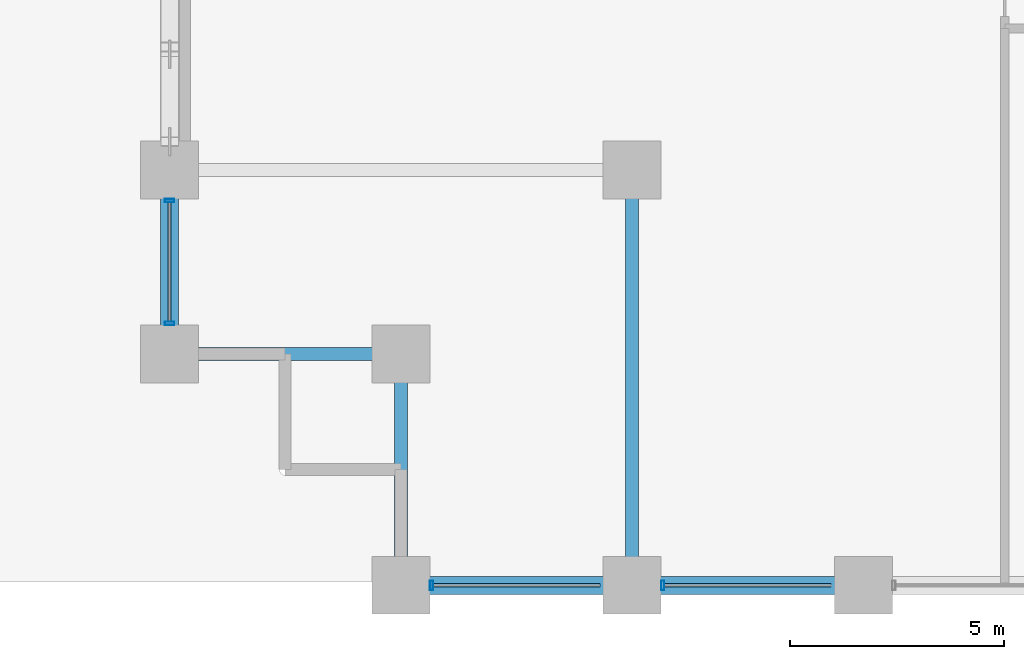
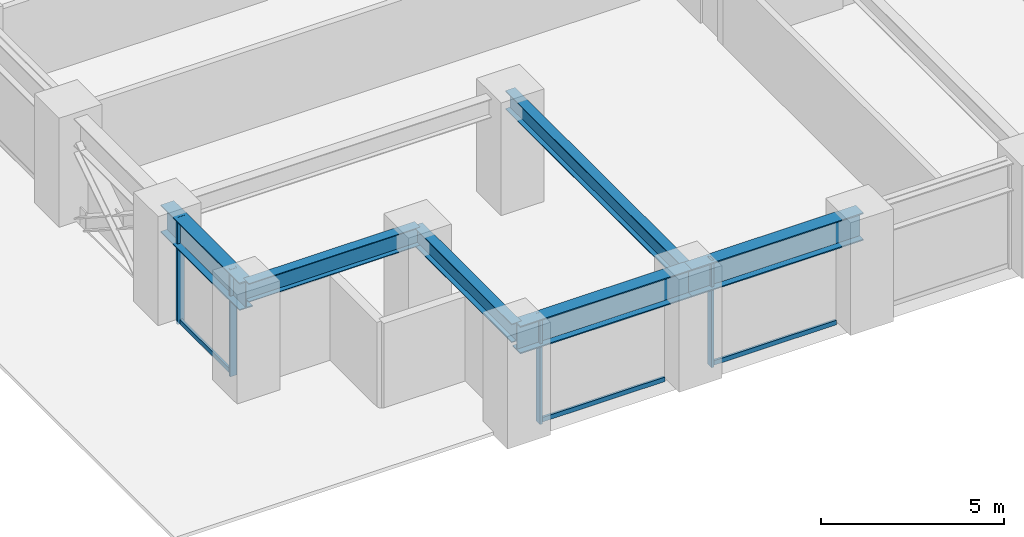
# One storey, part 2 of 27: 7 members, 6 beams, 2 elements without a shape of their own.
"""IFC4 building model written with IfcOpenShell, lengths in metres."""

from ifc_helpers import new_model, si_unit, direction, frame, origin, origin_2d, place, context, subcontext, project, spatial, hollow_rectangle, i_section, extrude, material, layer, layer_set, material_profile, profile_set, type_object, element, aggregate, save


model = new_model("IFC4")

# Units and contexts
model_context = context("Model", 3, precision=1e-05, world=origin(), true_north=direction((0.0, 1.0)))
body_context = subcontext(model_context, "Body", "Model", "MODEL_VIEW")
ifc_project = project(units=[si_unit("LENGTHUNIT", "METRE"), si_unit("AREAUNIT", "SQUARE_METRE"), si_unit("VOLUMEUNIT", "CUBIC_METRE"), si_unit("PLANEANGLEUNIT", "RADIAN"), si_unit("MASSUNIT", "GRAM", prefix="KILO")], contexts=[model_context])

# Site, building, storey
site_placement = place(None, origin())
site = spatial("IfcSite", under=ifc_project, at=site_placement, CompositionType="ELEMENT")
building_placement = place(site_placement, origin())
building = spatial("IfcBuilding", under=site, at=building_placement, Name="Surkhivell Harbour Commons", CompositionType="ELEMENT")
storey_placement = place(building_placement, frame((0.0, 0.0, 22.5)))
storey = spatial("IfcBuildingStorey", under=building, at=storey_placement, Name="L05", CompositionType="ELEMENT", Elevation=22.5)

# Beams
ifc_material_1 = material(Name="Steel S355", Category="steel")
ifc_material_profile_1 = material_profile(ifc_material_1, i_section(OverallWidth=0.306884765625, OverallDepth=0.6201171875, WebThickness=0.01416015625, FlangeThickness=0.023681640625, at=origin_2d()), Name="UB610x305x179")
ifc_profile_set_1 = profile_set([ifc_material_profile_1], Name="Steel S355")
beam_type_1 = type_object("IfcBeamType", Name="BM-GRD-610A", PredefinedType="BEAM", material=ifc_profile_set_1)
for number, where, z_axis, x_axis, name in (
    (1, (-32.39990234375, -20.5, 3.260009765625), (1.0, 0.0, 0.0), (0.0, 1.0, 0.0), "L05 Floor Girder (-32.4,-20.5)"),
    (2, (-27.0, -25.89990234375, 3.260009765625), (0.0, 1.0, 0.0), (-1.0, 0.0, 0.0), "L05 Floor Girder (-27.0,-25.9)"),
):
    element("IfcBeam", number, at=place(storey_placement, frame(where, z_axis=z_axis, x_axis=x_axis)), inside=storey, type_object=beam_type_1, Name=name, PredefinedType="BEAM", context=body_context, shape_type="SweptSolid", body=[
        extrude(i_section(OverallWidth=0.306884765625, OverallDepth=0.6201171875, WebThickness=0.01416015625, FlangeThickness=0.023681640625, at=origin_2d()), origin(), (0.0, 0.0, 1.0), 5.39990234375),
    ])
beam_1_placement = place(storey_placement, frame((-21.60009765625, -25.89990234375, 3.260009765625), z_axis=(0.0, 1.0, 0.0), x_axis=(-1.0, 0.0, 0.0)))
element("IfcBeam", 3, at=beam_1_placement, inside=storey, type_object=beam_type_1, Name="L05 Floor Girder (-21.6,-25.9)", PredefinedType="BEAM", context=body_context, shape_type="SweptSolid", body=[
    extrude(i_section(OverallWidth=0.306884765625, OverallDepth=0.6201171875, WebThickness=0.01416015625, FlangeThickness=0.023681640625, at=origin_2d()), origin(), (0.0, 0.0, 1.0), 9.699951171875),
])
ifc_material_2 = material(Name="Steel S460", Category="steel")
ifc_material_profile_2 = material_profile(ifc_material_2, i_section(OverallWidth=0.419921875, OverallDepth=0.9208984375, WebThickness=0.021484375, FlangeThickness=0.03662109375, at=origin_2d()), Name="UB914x419x388")
ifc_profile_set_2 = profile_set([ifc_material_profile_2], Name="Steel S460")
beam_type_2 = type_object("IfcBeamType", Name="BM-SPN-914A", PredefinedType="SPANDREL", material=ifc_profile_set_2)
beam_2_placement = place(storey_placement, frame((-32.39990234375, -20.5, 3.109619140625), z_axis=(0.0, 1.0, 0.0), x_axis=(-1.0, 0.0, 0.0)))
element("IfcBeam", 4, at=beam_2_placement, inside=storey, type_object=beam_type_2, Name="L05 Tube Spandrel (-32.4,-20.5)", PredefinedType="SPANDREL", context=body_context, shape_type="SweptSolid", body=[
    extrude(i_section(OverallWidth=0.419921875, OverallDepth=0.9208984375, WebThickness=0.021484375, FlangeThickness=0.03662109375, at=origin_2d()), origin(), (0.0, 0.0, 1.0), 4.300048828125),
])
beam_3_placement = place(storey_placement, frame((-27.0, -25.89990234375, 3.109619140625), z_axis=(1.0, 0.0, 0.0), x_axis=(0.0, 1.0, 0.0)))
element("IfcBeam", 5, at=beam_3_placement, inside=storey, type_object=beam_type_2, Name="L05 Tube Spandrel (-27.0,-25.9)", PredefinedType="SPANDREL", context=body_context, shape_type="SweptSolid", body=[
    extrude(i_section(OverallWidth=0.419921875, OverallDepth=0.9208984375, WebThickness=0.021484375, FlangeThickness=0.03662109375, at=origin_2d()), origin(), (0.0, 0.0, 1.0), 5.39990234375),
])
beam_4_placement = place(storey_placement, frame((-21.60009765625, -25.89990234375, 3.109619140625), z_axis=(1.0, 0.0, 0.0), x_axis=(0.0, 1.0, 0.0)))
element("IfcBeam", 6, at=beam_4_placement, inside=storey, type_object=beam_type_2, Name="L05 Tube Spandrel (-21.6,-25.9)", PredefinedType="SPANDREL", context=body_context, shape_type="SweptSolid", body=[
    extrude(i_section(OverallWidth=0.419921875, OverallDepth=0.9208984375, WebThickness=0.021484375, FlangeThickness=0.03662109375, at=origin_2d()), origin(), (0.0, 0.0, 1.0), 5.400146484375),
])

# Curtain wall, members
ifc_material_3 = material(Name="Anodised pale-metal aluminium and insulated glazing", Category="aluminium")
ifc_layer = layer(ifc_material_3, 0.219970703125)
ifc_layer_set = layer_set([ifc_layer], Name="Anodised pale-metal aluminium and insulated glazing")
curtain_wall_type = type_object("IfcCurtainWallType", Name="CW-SYS-Z1", PredefinedType="NOTDEFINED", material=ifc_layer_set)
curtain_wall_1_placement = place(storey_placement, origin())
curtain_wall_1 = element("IfcCurtainWall", 7, at=curtain_wall_1_placement, inside=storey, type_object=curtain_wall_type, Name="L05 Curtain Wall CW-L05-E00S1", PredefinedType="NOTDEFINED")
ifc_material_4 = material(Name="Anodised pale-metal aluminium alloy 6063-T6", Category="aluminium")
ifc_material_profile_3 = material_profile(ifc_material_4, hollow_rectangle(XDim=0.074951171875, YDim=0.219970703125, WallThickness=0.00390625, at=origin_2d()), Name="ALU-MULL-75x220")
ifc_profile_set_3 = profile_set([ifc_material_profile_3], Name="Anodised pale-metal aluminium alloy 6063-T6")
member_type_1 = type_object("IfcMemberType", Name="CWM-220", PredefinedType="MULLION", material=ifc_profile_set_3)
member_1_placement = place(storey_placement, frame((-26.285400390625, -25.89990234375, 0.0), z_axis=(0.0, 0.0, 1.0), x_axis=(1.0, 0.0, 0.0)))
member_1 = element("IfcMember", 8, at=member_1_placement, type_object=member_type_1, Name="CW-Z1 mullion 1", PredefinedType="MULLION", context=body_context, shape_type="SweptSolid", body=[
    extrude(hollow_rectangle(XDim=0.074951171875, YDim=0.219970703125, WallThickness=0.00390625, at=origin_2d()), origin(), (0.0, 0.0, 1.0), 3.570068359375),
])
member_2_placement = place(storey_placement, frame((-20.885498046875, -25.89990234375, 0.0), z_axis=(0.0, 0.0, 1.0), x_axis=(1.0, 0.0, 0.0)))
member_2 = element("IfcMember", 9, at=member_2_placement, type_object=member_type_1, Name="CW-Z1 mullion 2", PredefinedType="MULLION", context=body_context, shape_type="SweptSolid", body=[
    extrude(hollow_rectangle(XDim=0.074951171875, YDim=0.219970703125, WallThickness=0.00390625, at=origin_2d()), origin(), (0.0, 0.0, 1.0), 3.570068359375),
])

curtain_wall_2_placement = place(storey_placement, origin())
curtain_wall_2 = element("IfcCurtainWall", 10, at=curtain_wall_2_placement, inside=storey, type_object=curtain_wall_type, Name="L05 Curtain Wall CW-L05-E12S2", PredefinedType="NOTDEFINED")
member_3_placement = place(storey_placement, frame((-32.39990234375, -16.91455078125, 0.0), z_axis=(0.0, 0.0, 1.0), x_axis=(0.0, -1.0, 0.0)))
member_3 = element("IfcMember", 11, at=member_3_placement, type_object=member_type_1, Name="CW-Z1 mullion 1", PredefinedType="MULLION", context=body_context, shape_type="SweptSolid", body=[
    extrude(hollow_rectangle(XDim=0.074951171875, YDim=0.219970703125, WallThickness=0.00390625, at=origin_2d()), origin(), (0.0, 0.0, 1.0), 3.570068359375),
])
member_4_placement = place(storey_placement, frame((-32.39990234375, -19.785400390625, 0.0), z_axis=(0.0, 0.0, 1.0), x_axis=(0.0, -1.0, 0.0)))
member_4 = element("IfcMember", 12, at=member_4_placement, type_object=member_type_1, Name="CW-Z1 mullion 2", PredefinedType="MULLION", context=body_context, shape_type="SweptSolid", body=[
    extrude(hollow_rectangle(XDim=0.074951171875, YDim=0.219970703125, WallThickness=0.00390625, at=origin_2d()), origin(), (0.0, 0.0, 1.0), 3.570068359375),
])

# Member
ifc_material_profile_4 = material_profile(ifc_material_4, hollow_rectangle(XDim=0.074951171875, YDim=0.14990234375, WallThickness=0.00341796875, at=origin_2d()), Name="ALU-TRAN-75x150")
ifc_profile_set_4 = profile_set([ifc_material_profile_4], Name="Anodised pale-metal aluminium alloy 6063-T6")
member_type_2 = type_object("IfcMemberType", Name="CWT-150", PredefinedType="USERDEFINED", material=ifc_profile_set_4)
member_5_placement = place(storey_placement, frame((-26.248046875, -25.89990234375, 0.074951171875), z_axis=(1.0, 0.0, 0.0), x_axis=(0.0, 1.0, 0.0)))
member_5 = element("IfcMember", 13, at=member_5_placement, type_object=member_type_2, Name="CW-Z1 transom 1.1", ObjectType="TRANSOM", PredefinedType="USERDEFINED", context=body_context, shape_type="SweptSolid", body=[
    extrude(hollow_rectangle(XDim=0.074951171875, YDim=0.14990234375, WallThickness=0.00341796875, at=origin_2d()), origin(), (0.0, 0.0, 1.0), 3.89599609375),
])

member_6_placement = place(storey_placement, frame((-20.847900390625, -25.89990234375, 0.074951171875), z_axis=(1.0, 0.0, 0.0), x_axis=(0.0, 1.0, 0.0)))
member_6 = element("IfcMember", 14, at=member_6_placement, type_object=member_type_2, Name="CW-Z1 transom 2.1", ObjectType="TRANSOM", PredefinedType="USERDEFINED", context=body_context, shape_type="SweptSolid", body=[
    extrude(hollow_rectangle(XDim=0.074951171875, YDim=0.14990234375, WallThickness=0.00341796875, at=origin_2d()), origin(), (0.0, 0.0, 1.0), 3.89599609375),
])

aggregate(curtain_wall_1, [member_1, member_5, member_2, member_6])

member_7_placement = place(storey_placement, frame((-32.39990234375, -16.951904296875, 0.074951171875), z_axis=(0.0, -1.0, 0.0), x_axis=(1.0, 0.0, 0.0)))
member_7 = element("IfcMember", 15, at=member_7_placement, type_object=member_type_2, Name="CW-Z1 transom 1.1", ObjectType="TRANSOM", PredefinedType="USERDEFINED", context=body_context, shape_type="SweptSolid", body=[
    extrude(hollow_rectangle(XDim=0.074951171875, YDim=0.14990234375, WallThickness=0.00341796875, at=origin_2d()), origin(), (0.0, 0.0, 1.0), 2.796142578125),
])

aggregate(curtain_wall_2, [member_3, member_4, member_7])

save(model, "model.ifc")
